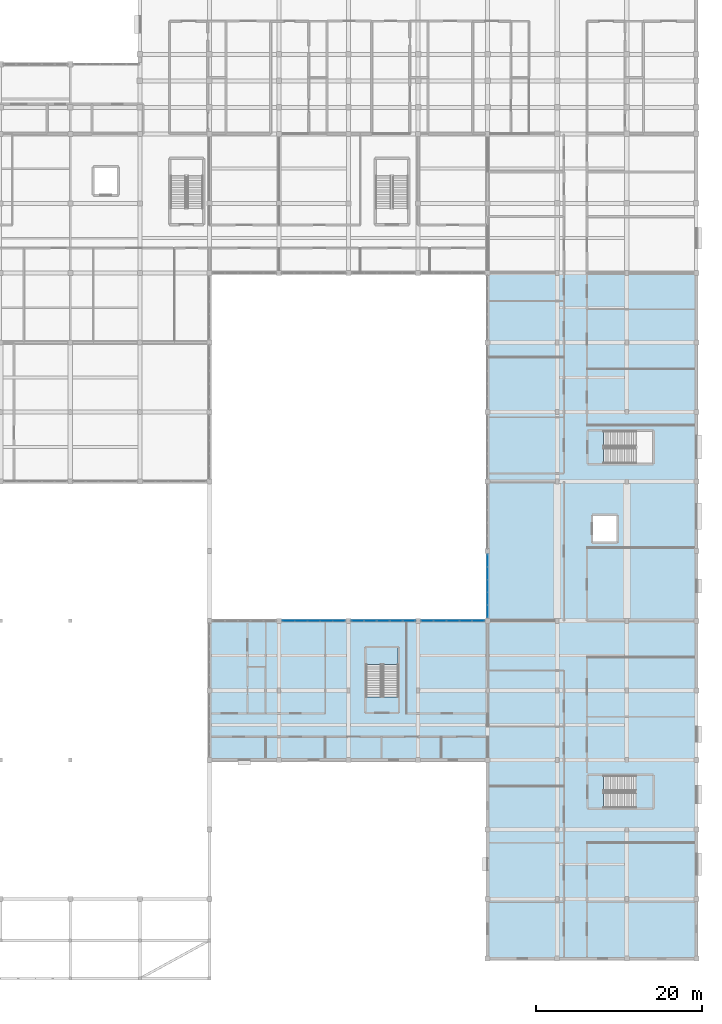
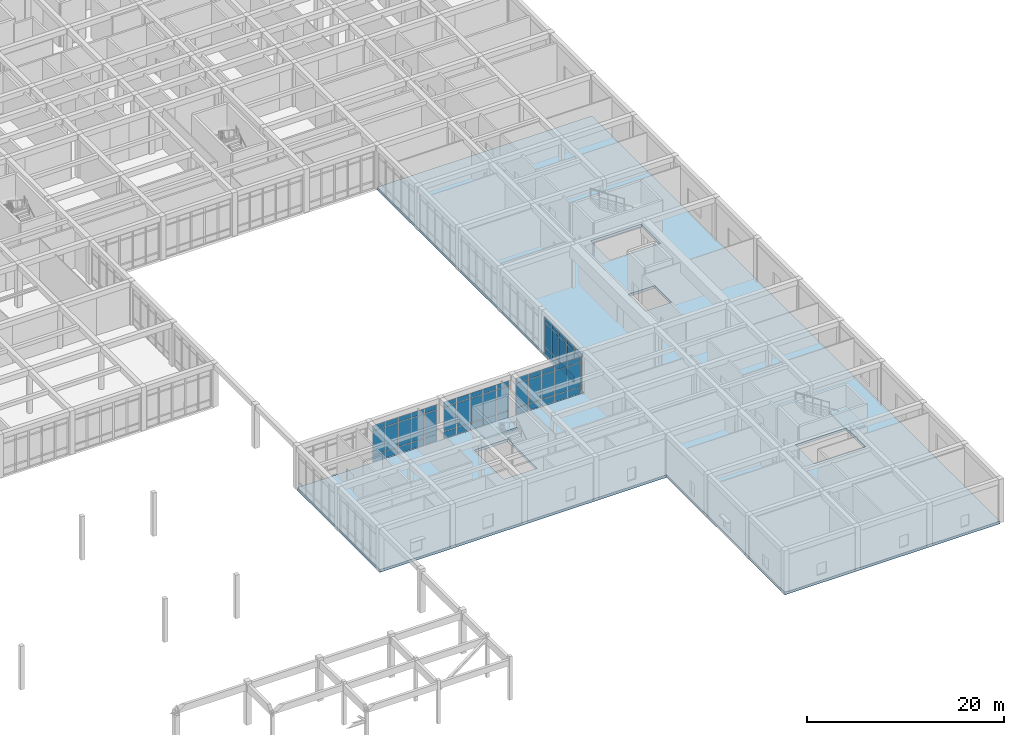
# One storey, part 49 of 89: 60 plates, 3 slabs, 6 elements without a shape of their own.
"""IFC4 building model written with IfcOpenShell, lengths in metres."""

from ifc_helpers import new_model, si_unit, direction, frame, origin, origin_2d, place, context, subcontext, project, spatial, polyline, rectangle, outline, extrude, material, layer, layer_set, type_object, element, aggregate, save


model = new_model("IFC4")

# Units and contexts
model_context = context("Model", 3, precision=1e-05, world=origin(), true_north=direction((0.0, 1.0)))
body_context = subcontext(model_context, "Body", "Model", "MODEL_VIEW")
ifc_project = project(units=[si_unit("LENGTHUNIT", "METRE"), si_unit("AREAUNIT", "SQUARE_METRE"), si_unit("VOLUMEUNIT", "CUBIC_METRE"), si_unit("PLANEANGLEUNIT", "RADIAN"), si_unit("MASSUNIT", "GRAM", prefix="KILO")], contexts=[model_context])

# Site, building, storey
site_placement = place(None, origin())
site = spatial("IfcSite", under=ifc_project, at=site_placement, CompositionType="ELEMENT")
building_placement = place(site_placement, origin())
building = spatial("IfcBuilding", under=site, at=building_placement, Name="Varncliffe General Hospital", CompositionType="ELEMENT")
storey_placement = place(building_placement, frame((0.0, 0.0, 10.800048828125)))
storey = spatial("IfcBuildingStorey", under=building, at=storey_placement, Name="L02", CompositionType="ELEMENT", Elevation=10.800048828125)

# Curtain wall, plates
ifc_material_1 = material(Name="Triple low-E argon insulated vision glazing", Category="glass")
curtain_wall_type_1 = type_object("IfcCurtainWallType", Name="Unitised Glazed Curtain Wall CW70 (7724x4640)", PredefinedType="USERDEFINED", material=ifc_material_1)
curtain_wall_1_placement = place(storey_placement, origin())
curtain_wall_1 = element("IfcCurtainWall", 1, at=curtain_wall_1_placement, inside=storey, type_object=curtain_wall_type_1, Name="L02 Glazed Curtain Wall CW70-121", ObjectType="GLAZED CURTAIN WALL", PredefinedType="USERDEFINED")
ifc_layer_1 = layer(ifc_material_1, 0.0439453125)
ifc_layer_set_1 = layer_set([ifc_layer_1], Name="Triple low-E argon insulated vision glazing")
plate_type_1 = type_object("IfcPlateType", Name="Curtain Wall Glazing Panel CP12 (44mm)", PredefinedType="CURTAIN_PANEL", material=ifc_layer_set_1)
plate_1_placement = place(storey_placement, frame((143.92919921875, 40.800048828125, 0.059814453125), z_axis=(0.0, 0.0, 1.0), x_axis=(1.0, 0.0, 0.0)))
plate_1 = element("IfcPlate", 2, at=plate_1_placement, type_object=plate_type_1, Name="CW70 panel 1.1", PredefinedType="CURTAIN_PANEL", context=body_context, shape_type="SweptSolid", body=[
    extrude(rectangle(XDim=1.432373046875, YDim=0.0439453125, at=origin_2d()), origin(), (0.0, 0.0, 1.0), 0.81005859375),
])
plate_2_placement = place(storey_placement, frame((143.92919921875, 40.800048828125, 0.929931640625), z_axis=(0.0, 0.0, 1.0), x_axis=(1.0, 0.0, 0.0)))
plate_2 = element("IfcPlate", 3, at=plate_2_placement, type_object=plate_type_1, Name="CW70 panel 1.2", PredefinedType="CURTAIN_PANEL", context=body_context, shape_type="SweptSolid", body=[
    extrude(rectangle(XDim=1.432373046875, YDim=0.0439453125, at=origin_2d()), origin(), (0.0, 0.0, 1.0), 2.97998046875),
])
plate_3_placement = place(storey_placement, frame((143.92919921875, 40.800048828125, 3.9697265625), z_axis=(0.0, 0.0, 1.0), x_axis=(1.0, 0.0, 0.0)))
plate_3 = element("IfcPlate", 4, at=plate_3_placement, type_object=plate_type_1, Name="CW70 panel 1.3", PredefinedType="CURTAIN_PANEL", context=body_context, shape_type="SweptSolid", body=[
    extrude(rectangle(XDim=1.432373046875, YDim=0.0439453125, at=origin_2d()), origin(), (0.0, 0.0, 1.0), 0.610107421875),
])
plate_4_placement = place(storey_placement, frame((145.455078125, 40.800048828125, 0.059814453125), z_axis=(0.0, 0.0, 1.0), x_axis=(1.0, 0.0, 0.0)))
plate_4 = element("IfcPlate", 5, at=plate_4_placement, type_object=plate_type_1, Name="CW70 panel 2.1", PredefinedType="CURTAIN_PANEL", context=body_context, shape_type="SweptSolid", body=[
    extrude(rectangle(XDim=1.4697265625, YDim=0.0439453125, at=origin_2d()), origin(), (0.0, 0.0, 1.0), 0.81005859375),
])
plate_5_placement = place(storey_placement, frame((145.455078125, 40.800048828125, 0.929931640625), z_axis=(0.0, 0.0, 1.0), x_axis=(1.0, 0.0, 0.0)))
plate_5 = element("IfcPlate", 6, at=plate_5_placement, type_object=plate_type_1, Name="CW70 panel 2.2", PredefinedType="CURTAIN_PANEL", context=body_context, shape_type="SweptSolid", body=[
    extrude(rectangle(XDim=1.4697265625, YDim=0.0439453125, at=origin_2d()), origin(), (0.0, 0.0, 1.0), 2.97998046875),
])
plate_6_placement = place(storey_placement, frame((145.455078125, 40.800048828125, 3.9697265625), z_axis=(0.0, 0.0, 1.0), x_axis=(1.0, 0.0, 0.0)))
plate_6 = element("IfcPlate", 7, at=plate_6_placement, type_object=plate_type_1, Name="CW70 panel 2.3", PredefinedType="CURTAIN_PANEL", context=body_context, shape_type="SweptSolid", body=[
    extrude(rectangle(XDim=1.4697265625, YDim=0.0439453125, at=origin_2d()), origin(), (0.0, 0.0, 1.0), 0.610107421875),
])
plate_7_placement = place(storey_placement, frame((147.0, 40.800048828125, 0.059814453125), z_axis=(0.0, 0.0, 1.0), x_axis=(1.0, 0.0, 0.0)))
plate_7 = element("IfcPlate", 8, at=plate_7_placement, type_object=plate_type_1, Name="CW70 panel 3.1", PredefinedType="CURTAIN_PANEL", context=body_context, shape_type="SweptSolid", body=[
    extrude(rectangle(XDim=1.4697265625, YDim=0.0439453125, at=origin_2d()), origin(), (0.0, 0.0, 1.0), 0.81005859375),
])
plate_8_placement = place(storey_placement, frame((147.0, 40.800048828125, 0.929931640625), z_axis=(0.0, 0.0, 1.0), x_axis=(1.0, 0.0, 0.0)))
plate_8 = element("IfcPlate", 9, at=plate_8_placement, type_object=plate_type_1, Name="CW70 panel 3.2", PredefinedType="CURTAIN_PANEL", context=body_context, shape_type="SweptSolid", body=[
    extrude(rectangle(XDim=1.4697265625, YDim=0.0439453125, at=origin_2d()), origin(), (0.0, 0.0, 1.0), 2.97998046875),
])
plate_9_placement = place(storey_placement, frame((147.0, 40.800048828125, 3.9697265625), z_axis=(0.0, 0.0, 1.0), x_axis=(1.0, 0.0, 0.0)))
plate_9 = element("IfcPlate", 10, at=plate_9_placement, type_object=plate_type_1, Name="CW70 panel 3.3", PredefinedType="CURTAIN_PANEL", context=body_context, shape_type="SweptSolid", body=[
    extrude(rectangle(XDim=1.4697265625, YDim=0.0439453125, at=origin_2d()), origin(), (0.0, 0.0, 1.0), 0.610107421875),
])
plate_10_placement = place(storey_placement, frame((148.544921875, 40.800048828125, 0.059814453125), z_axis=(0.0, 0.0, 1.0), x_axis=(1.0, 0.0, 0.0)))
plate_10 = element("IfcPlate", 11, at=plate_10_placement, type_object=plate_type_1, Name="CW70 panel 4.1", PredefinedType="CURTAIN_PANEL", context=body_context, shape_type="SweptSolid", body=[
    extrude(rectangle(XDim=1.4697265625, YDim=0.0439453125, at=origin_2d()), origin(), (0.0, 0.0, 1.0), 0.81005859375),
])
plate_11_placement = place(storey_placement, frame((148.544921875, 40.800048828125, 0.929931640625), z_axis=(0.0, 0.0, 1.0), x_axis=(1.0, 0.0, 0.0)))
plate_11 = element("IfcPlate", 12, at=plate_11_placement, type_object=plate_type_1, Name="CW70 panel 4.2", PredefinedType="CURTAIN_PANEL", context=body_context, shape_type="SweptSolid", body=[
    extrude(rectangle(XDim=1.4697265625, YDim=0.0439453125, at=origin_2d()), origin(), (0.0, 0.0, 1.0), 2.97998046875),
])
plate_12_placement = place(storey_placement, frame((148.544921875, 40.800048828125, 3.9697265625), z_axis=(0.0, 0.0, 1.0), x_axis=(1.0, 0.0, 0.0)))
plate_12 = element("IfcPlate", 13, at=plate_12_placement, type_object=plate_type_1, Name="CW70 panel 4.3", PredefinedType="CURTAIN_PANEL", context=body_context, shape_type="SweptSolid", body=[
    extrude(rectangle(XDim=1.4697265625, YDim=0.0439453125, at=origin_2d()), origin(), (0.0, 0.0, 1.0), 0.610107421875),
])
plate_13_placement = place(storey_placement, frame((150.07080078125, 40.800048828125, 0.059814453125), z_axis=(0.0, 0.0, 1.0), x_axis=(1.0, 0.0, 0.0)))
plate_13 = element("IfcPlate", 14, at=plate_13_placement, type_object=plate_type_1, Name="CW70 panel 5.1", PredefinedType="CURTAIN_PANEL", context=body_context, shape_type="SweptSolid", body=[
    extrude(rectangle(XDim=1.432373046875, YDim=0.0439453125, at=origin_2d()), origin(), (0.0, 0.0, 1.0), 0.81005859375),
])
plate_14_placement = place(storey_placement, frame((150.07080078125, 40.800048828125, 0.929931640625), z_axis=(0.0, 0.0, 1.0), x_axis=(1.0, 0.0, 0.0)))
plate_14 = element("IfcPlate", 15, at=plate_14_placement, type_object=plate_type_1, Name="CW70 panel 5.2", PredefinedType="CURTAIN_PANEL", context=body_context, shape_type="SweptSolid", body=[
    extrude(rectangle(XDim=1.432373046875, YDim=0.0439453125, at=origin_2d()), origin(), (0.0, 0.0, 1.0), 2.97998046875),
])
plate_15_placement = place(storey_placement, frame((150.07080078125, 40.800048828125, 3.9697265625), z_axis=(0.0, 0.0, 1.0), x_axis=(1.0, 0.0, 0.0)))
plate_15 = element("IfcPlate", 16, at=plate_15_placement, type_object=plate_type_1, Name="CW70 panel 5.3", PredefinedType="CURTAIN_PANEL", context=body_context, shape_type="SweptSolid", body=[
    extrude(rectangle(XDim=1.432373046875, YDim=0.0439453125, at=origin_2d()), origin(), (0.0, 0.0, 1.0), 0.610107421875),
])
aggregate(curtain_wall_1, [plate_1, plate_2, plate_3, plate_4, plate_5, plate_6, plate_7, plate_8, plate_9, plate_10, plate_11, plate_12, plate_13, plate_14, plate_15])

curtain_wall_type_2 = type_object("IfcCurtainWallType", Name="Unitised Glazed Curtain Wall CW85 (7804x4640)", PredefinedType="USERDEFINED", material=ifc_material_1)
curtain_wall_2_placement = place(storey_placement, origin())
curtain_wall_2 = element("IfcCurtainWall", 17, at=curtain_wall_2_placement, inside=storey, type_object=curtain_wall_type_2, Name="L02 Glazed Curtain Wall CW85-120", ObjectType="GLAZED CURTAIN WALL", PredefinedType="USERDEFINED")
ifc_layer_2 = layer(ifc_material_1, 0.035888671875)
ifc_layer_set_2 = layer_set([ifc_layer_2], Name="Triple low-E argon insulated vision glazing")
plate_type_2 = type_object("IfcPlateType", Name="Curtain Wall Glazing Panel CP27 (36mm)", PredefinedType="CURTAIN_PANEL", material=ifc_layer_set_2)
plate_16_placement = place(storey_placement, frame((135.4970703125, 40.800048828125, 0.06494140625), z_axis=(0.0, 0.0, 1.0), x_axis=(1.0, 0.0, 0.0)))
plate_16 = element("IfcPlate", 18, at=plate_16_placement, type_object=plate_type_2, Name="CW85 panel 1.1", PredefinedType="CURTAIN_PANEL", context=body_context, shape_type="SweptSolid", body=[
    extrude(rectangle(XDim=1.4482421875, YDim=0.035888671875, at=origin_2d()), origin(), (0.0, 0.0, 1.0), 0.802490234375),
])
plate_17_placement = place(storey_placement, frame((135.4970703125, 40.800048828125, 0.932373046875), z_axis=(0.0, 0.0, 1.0), x_axis=(1.0, 0.0, 0.0)))
plate_17 = element("IfcPlate", 19, at=plate_17_placement, type_object=plate_type_2, Name="CW85 panel 1.2", PredefinedType="CURTAIN_PANEL", context=body_context, shape_type="SweptSolid", body=[
    extrude(rectangle(XDim=1.4482421875, YDim=0.035888671875, at=origin_2d()), origin(), (0.0, 0.0, 1.0), 2.97509765625),
])
plate_18_placement = place(storey_placement, frame((135.4970703125, 40.800048828125, 3.972412109375), z_axis=(0.0, 0.0, 1.0), x_axis=(1.0, 0.0, 0.0)))
plate_18 = element("IfcPlate", 20, at=plate_18_placement, type_object=plate_type_2, Name="CW85 panel 1.3", PredefinedType="CURTAIN_PANEL", context=body_context, shape_type="SweptSolid", body=[
    extrude(rectangle(XDim=1.4482421875, YDim=0.035888671875, at=origin_2d()), origin(), (0.0, 0.0, 1.0), 0.6025390625),
])
plate_19_placement = place(storey_placement, frame((137.039306640625, 40.800048828125, 0.06494140625), z_axis=(0.0, 0.0, 1.0), x_axis=(1.0, 0.0, 0.0)))
plate_19 = element("IfcPlate", 21, at=plate_19_placement, type_object=plate_type_2, Name="CW85 panel 2.1", PredefinedType="CURTAIN_PANEL", context=body_context, shape_type="SweptSolid", body=[
    extrude(rectangle(XDim=1.48583984375, YDim=0.035888671875, at=origin_2d()), origin(), (0.0, 0.0, 1.0), 0.802490234375),
])
plate_20_placement = place(storey_placement, frame((137.039306640625, 40.800048828125, 0.932373046875), z_axis=(0.0, 0.0, 1.0), x_axis=(1.0, 0.0, 0.0)))
plate_20 = element("IfcPlate", 22, at=plate_20_placement, type_object=plate_type_2, Name="CW85 panel 2.2", PredefinedType="CURTAIN_PANEL", context=body_context, shape_type="SweptSolid", body=[
    extrude(rectangle(XDim=1.48583984375, YDim=0.035888671875, at=origin_2d()), origin(), (0.0, 0.0, 1.0), 2.97509765625),
])
plate_21_placement = place(storey_placement, frame((137.039306640625, 40.800048828125, 3.972412109375), z_axis=(0.0, 0.0, 1.0), x_axis=(1.0, 0.0, 0.0)))
plate_21 = element("IfcPlate", 23, at=plate_21_placement, type_object=plate_type_2, Name="CW85 panel 2.3", PredefinedType="CURTAIN_PANEL", context=body_context, shape_type="SweptSolid", body=[
    extrude(rectangle(XDim=1.48583984375, YDim=0.035888671875, at=origin_2d()), origin(), (0.0, 0.0, 1.0), 0.6025390625),
])
plate_22_placement = place(storey_placement, frame((138.60009765625, 40.800048828125, 0.06494140625), z_axis=(0.0, 0.0, 1.0), x_axis=(1.0, 0.0, 0.0)))
plate_22 = element("IfcPlate", 24, at=plate_22_placement, type_object=plate_type_2, Name="CW85 panel 3.1", PredefinedType="CURTAIN_PANEL", context=body_context, shape_type="SweptSolid", body=[
    extrude(rectangle(XDim=1.48583984375, YDim=0.035888671875, at=origin_2d()), origin(), (0.0, 0.0, 1.0), 0.802490234375),
])
plate_23_placement = place(storey_placement, frame((138.60009765625, 40.800048828125, 0.932373046875), z_axis=(0.0, 0.0, 1.0), x_axis=(1.0, 0.0, 0.0)))
plate_23 = element("IfcPlate", 25, at=plate_23_placement, type_object=plate_type_2, Name="CW85 panel 3.2", PredefinedType="CURTAIN_PANEL", context=body_context, shape_type="SweptSolid", body=[
    extrude(rectangle(XDim=1.48583984375, YDim=0.035888671875, at=origin_2d()), origin(), (0.0, 0.0, 1.0), 2.97509765625),
])
plate_24_placement = place(storey_placement, frame((138.60009765625, 40.800048828125, 3.972412109375), z_axis=(0.0, 0.0, 1.0), x_axis=(1.0, 0.0, 0.0)))
plate_24 = element("IfcPlate", 26, at=plate_24_placement, type_object=plate_type_2, Name="CW85 panel 3.3", PredefinedType="CURTAIN_PANEL", context=body_context, shape_type="SweptSolid", body=[
    extrude(rectangle(XDim=1.48583984375, YDim=0.035888671875, at=origin_2d()), origin(), (0.0, 0.0, 1.0), 0.6025390625),
])
plate_25_placement = place(storey_placement, frame((140.160888671875, 40.800048828125, 0.06494140625), z_axis=(0.0, 0.0, 1.0), x_axis=(1.0, 0.0, 0.0)))
plate_25 = element("IfcPlate", 27, at=plate_25_placement, type_object=plate_type_2, Name="CW85 panel 4.1", PredefinedType="CURTAIN_PANEL", context=body_context, shape_type="SweptSolid", body=[
    extrude(rectangle(XDim=1.48583984375, YDim=0.035888671875, at=origin_2d()), origin(), (0.0, 0.0, 1.0), 0.802490234375),
])
plate_26_placement = place(storey_placement, frame((140.160888671875, 40.800048828125, 0.932373046875), z_axis=(0.0, 0.0, 1.0), x_axis=(1.0, 0.0, 0.0)))
plate_26 = element("IfcPlate", 28, at=plate_26_placement, type_object=plate_type_2, Name="CW85 panel 4.2", PredefinedType="CURTAIN_PANEL", context=body_context, shape_type="SweptSolid", body=[
    extrude(rectangle(XDim=1.48583984375, YDim=0.035888671875, at=origin_2d()), origin(), (0.0, 0.0, 1.0), 2.97509765625),
])
plate_27_placement = place(storey_placement, frame((140.160888671875, 40.800048828125, 3.972412109375), z_axis=(0.0, 0.0, 1.0), x_axis=(1.0, 0.0, 0.0)))
plate_27 = element("IfcPlate", 29, at=plate_27_placement, type_object=plate_type_2, Name="CW85 panel 4.3", PredefinedType="CURTAIN_PANEL", context=body_context, shape_type="SweptSolid", body=[
    extrude(rectangle(XDim=1.48583984375, YDim=0.035888671875, at=origin_2d()), origin(), (0.0, 0.0, 1.0), 0.6025390625),
])
plate_28_placement = place(storey_placement, frame((141.702880859375, 40.800048828125, 0.06494140625), z_axis=(0.0, 0.0, 1.0), x_axis=(1.0, 0.0, 0.0)))
plate_28 = element("IfcPlate", 30, at=plate_28_placement, type_object=plate_type_2, Name="CW85 panel 5.1", PredefinedType="CURTAIN_PANEL", context=body_context, shape_type="SweptSolid", body=[
    extrude(rectangle(XDim=1.4482421875, YDim=0.035888671875, at=origin_2d()), origin(), (0.0, 0.0, 1.0), 0.802490234375),
])
plate_29_placement = place(storey_placement, frame((141.702880859375, 40.800048828125, 0.932373046875), z_axis=(0.0, 0.0, 1.0), x_axis=(1.0, 0.0, 0.0)))
plate_29 = element("IfcPlate", 31, at=plate_29_placement, type_object=plate_type_2, Name="CW85 panel 5.2", PredefinedType="CURTAIN_PANEL", context=body_context, shape_type="SweptSolid", body=[
    extrude(rectangle(XDim=1.4482421875, YDim=0.035888671875, at=origin_2d()), origin(), (0.0, 0.0, 1.0), 2.97509765625),
])
plate_30_placement = place(storey_placement, frame((141.702880859375, 40.800048828125, 3.972412109375), z_axis=(0.0, 0.0, 1.0), x_axis=(1.0, 0.0, 0.0)))
plate_30 = element("IfcPlate", 32, at=plate_30_placement, type_object=plate_type_2, Name="CW85 panel 5.3", PredefinedType="CURTAIN_PANEL", context=body_context, shape_type="SweptSolid", body=[
    extrude(rectangle(XDim=1.4482421875, YDim=0.035888671875, at=origin_2d()), origin(), (0.0, 0.0, 1.0), 0.6025390625),
])
aggregate(curtain_wall_2, [plate_16, plate_17, plate_18, plate_19, plate_20, plate_21, plate_22, plate_23, plate_24, plate_25, plate_26, plate_27, plate_28, plate_29, plate_30])

curtain_wall_type_3 = type_object("IfcCurtainWallType", Name="Unitised Glazed Curtain Wall CW27 (7644x4640)", PredefinedType="USERDEFINED", material=ifc_material_1)
curtain_wall_3_placement = place(storey_placement, origin())
curtain_wall_3 = element("IfcCurtainWall", 33, at=curtain_wall_3_placement, inside=storey, type_object=curtain_wall_type_3, Name="L02 Glazed Curtain Wall CW27-119", ObjectType="GLAZED CURTAIN WALL", PredefinedType="USERDEFINED")
ifc_layer_3 = layer(ifc_material_1, 0.028076171875)
ifc_layer_set_3 = layer_set([ifc_layer_3], Name="Triple low-E argon insulated vision glazing")
plate_type_3 = type_object("IfcPlateType", Name="Curtain Wall Glazing Panel CP48 (28mm)", PredefinedType="CURTAIN_PANEL", material=ifc_layer_set_3)
plate_31_placement = place(storey_placement, frame((127.15869140625, 40.800048828125, 0.059814453125), z_axis=(0.0, 0.0, 1.0), x_axis=(1.0, 0.0, 0.0)))
plate_31 = element("IfcPlate", 34, at=plate_31_placement, type_object=plate_type_3, Name="CW27 panel 1.1", PredefinedType="CURTAIN_PANEL", context=body_context, shape_type="SweptSolid", body=[
    extrude(rectangle(XDim=1.431396484375, YDim=0.028076171875, at=origin_2d()), origin(), (0.0, 0.0, 1.0), 0.81005859375),
])
plate_32_placement = place(storey_placement, frame((127.15869140625, 40.800048828125, 0.929931640625), z_axis=(0.0, 0.0, 1.0), x_axis=(1.0, 0.0, 0.0)))
plate_32 = element("IfcPlate", 35, at=plate_32_placement, type_object=plate_type_3, Name="CW27 panel 1.2", PredefinedType="CURTAIN_PANEL", context=body_context, shape_type="SweptSolid", body=[
    extrude(rectangle(XDim=1.431396484375, YDim=0.028076171875, at=origin_2d()), origin(), (0.0, 0.0, 1.0), 2.97998046875),
])
plate_33_placement = place(storey_placement, frame((127.15869140625, 40.800048828125, 3.9697265625), z_axis=(0.0, 0.0, 1.0), x_axis=(1.0, 0.0, 0.0)))
plate_33 = element("IfcPlate", 36, at=plate_33_placement, type_object=plate_type_3, Name="CW27 panel 1.3", PredefinedType="CURTAIN_PANEL", context=body_context, shape_type="SweptSolid", body=[
    extrude(rectangle(XDim=1.431396484375, YDim=0.028076171875, at=origin_2d()), origin(), (0.0, 0.0, 1.0), 0.610107421875),
])
plate_34_placement = place(storey_placement, frame((128.671142578125, 40.800048828125, 0.059814453125), z_axis=(0.0, 0.0, 1.0), x_axis=(1.0, 0.0, 0.0)))
plate_34 = element("IfcPlate", 37, at=plate_34_placement, type_object=plate_type_3, Name="CW27 panel 2.1", PredefinedType="CURTAIN_PANEL", context=body_context, shape_type="SweptSolid", body=[
    extrude(rectangle(XDim=1.4638671875, YDim=0.028076171875, at=origin_2d()), origin(), (0.0, 0.0, 1.0), 0.81005859375),
])
plate_35_placement = place(storey_placement, frame((128.671142578125, 40.800048828125, 0.929931640625), z_axis=(0.0, 0.0, 1.0), x_axis=(1.0, 0.0, 0.0)))
plate_35 = element("IfcPlate", 38, at=plate_35_placement, type_object=plate_type_3, Name="CW27 panel 2.2", PredefinedType="CURTAIN_PANEL", context=body_context, shape_type="SweptSolid", body=[
    extrude(rectangle(XDim=1.4638671875, YDim=0.028076171875, at=origin_2d()), origin(), (0.0, 0.0, 1.0), 2.97998046875),
])
plate_36_placement = place(storey_placement, frame((128.671142578125, 40.800048828125, 3.9697265625), z_axis=(0.0, 0.0, 1.0), x_axis=(1.0, 0.0, 0.0)))
plate_36 = element("IfcPlate", 39, at=plate_36_placement, type_object=plate_type_3, Name="CW27 panel 2.3", PredefinedType="CURTAIN_PANEL", context=body_context, shape_type="SweptSolid", body=[
    extrude(rectangle(XDim=1.4638671875, YDim=0.028076171875, at=origin_2d()), origin(), (0.0, 0.0, 1.0), 0.610107421875),
])
plate_37_placement = place(storey_placement, frame((130.199951171875, 40.800048828125, 0.059814453125), z_axis=(0.0, 0.0, 1.0), x_axis=(1.0, 0.0, 0.0)))
plate_37 = element("IfcPlate", 40, at=plate_37_placement, type_object=plate_type_3, Name="CW27 panel 3.1", PredefinedType="CURTAIN_PANEL", context=body_context, shape_type="SweptSolid", body=[
    extrude(rectangle(XDim=1.4638671875, YDim=0.028076171875, at=origin_2d()), origin(), (0.0, 0.0, 1.0), 0.81005859375),
])
plate_38_placement = place(storey_placement, frame((130.199951171875, 40.800048828125, 0.929931640625), z_axis=(0.0, 0.0, 1.0), x_axis=(1.0, 0.0, 0.0)))
plate_38 = element("IfcPlate", 41, at=plate_38_placement, type_object=plate_type_3, Name="CW27 panel 3.2", PredefinedType="CURTAIN_PANEL", context=body_context, shape_type="SweptSolid", body=[
    extrude(rectangle(XDim=1.4638671875, YDim=0.028076171875, at=origin_2d()), origin(), (0.0, 0.0, 1.0), 2.97998046875),
])
plate_39_placement = place(storey_placement, frame((130.199951171875, 40.800048828125, 3.9697265625), z_axis=(0.0, 0.0, 1.0), x_axis=(1.0, 0.0, 0.0)))
plate_39 = element("IfcPlate", 42, at=plate_39_placement, type_object=plate_type_3, Name="CW27 panel 3.3", PredefinedType="CURTAIN_PANEL", context=body_context, shape_type="SweptSolid", body=[
    extrude(rectangle(XDim=1.4638671875, YDim=0.028076171875, at=origin_2d()), origin(), (0.0, 0.0, 1.0), 0.610107421875),
])
plate_40_placement = place(storey_placement, frame((131.728759765625, 40.800048828125, 0.059814453125), z_axis=(0.0, 0.0, 1.0), x_axis=(1.0, 0.0, 0.0)))
plate_40 = element("IfcPlate", 43, at=plate_40_placement, type_object=plate_type_3, Name="CW27 panel 4.1", PredefinedType="CURTAIN_PANEL", context=body_context, shape_type="SweptSolid", body=[
    extrude(rectangle(XDim=1.4638671875, YDim=0.028076171875, at=origin_2d()), origin(), (0.0, 0.0, 1.0), 0.81005859375),
])
plate_41_placement = place(storey_placement, frame((131.728759765625, 40.800048828125, 0.929931640625), z_axis=(0.0, 0.0, 1.0), x_axis=(1.0, 0.0, 0.0)))
plate_41 = element("IfcPlate", 44, at=plate_41_placement, type_object=plate_type_3, Name="CW27 panel 4.2", PredefinedType="CURTAIN_PANEL", context=body_context, shape_type="SweptSolid", body=[
    extrude(rectangle(XDim=1.4638671875, YDim=0.028076171875, at=origin_2d()), origin(), (0.0, 0.0, 1.0), 2.97998046875),
])
plate_42_placement = place(storey_placement, frame((131.728759765625, 40.800048828125, 3.9697265625), z_axis=(0.0, 0.0, 1.0), x_axis=(1.0, 0.0, 0.0)))
plate_42 = element("IfcPlate", 45, at=plate_42_placement, type_object=plate_type_3, Name="CW27 panel 4.3", PredefinedType="CURTAIN_PANEL", context=body_context, shape_type="SweptSolid", body=[
    extrude(rectangle(XDim=1.4638671875, YDim=0.028076171875, at=origin_2d()), origin(), (0.0, 0.0, 1.0), 0.610107421875),
])
plate_43_placement = place(storey_placement, frame((133.241455078125, 40.800048828125, 0.059814453125), z_axis=(0.0, 0.0, 1.0), x_axis=(1.0, 0.0, 0.0)))
plate_43 = element("IfcPlate", 46, at=plate_43_placement, type_object=plate_type_3, Name="CW27 panel 5.1", PredefinedType="CURTAIN_PANEL", context=body_context, shape_type="SweptSolid", body=[
    extrude(rectangle(XDim=1.431396484375, YDim=0.028076171875, at=origin_2d()), origin(), (0.0, 0.0, 1.0), 0.81005859375),
])
plate_44_placement = place(storey_placement, frame((133.241455078125, 40.800048828125, 0.929931640625), z_axis=(0.0, 0.0, 1.0), x_axis=(1.0, 0.0, 0.0)))
plate_44 = element("IfcPlate", 47, at=plate_44_placement, type_object=plate_type_3, Name="CW27 panel 5.2", PredefinedType="CURTAIN_PANEL", context=body_context, shape_type="SweptSolid", body=[
    extrude(rectangle(XDim=1.431396484375, YDim=0.028076171875, at=origin_2d()), origin(), (0.0, 0.0, 1.0), 2.97998046875),
])
plate_45_placement = place(storey_placement, frame((133.241455078125, 40.800048828125, 3.9697265625), z_axis=(0.0, 0.0, 1.0), x_axis=(1.0, 0.0, 0.0)))
plate_45 = element("IfcPlate", 48, at=plate_45_placement, type_object=plate_type_3, Name="CW27 panel 5.3", PredefinedType="CURTAIN_PANEL", context=body_context, shape_type="SweptSolid", body=[
    extrude(rectangle(XDim=1.431396484375, YDim=0.028076171875, at=origin_2d()), origin(), (0.0, 0.0, 1.0), 0.610107421875),
])
aggregate(curtain_wall_3, [plate_31, plate_32, plate_33, plate_34, plate_35, plate_36, plate_37, plate_38, plate_39, plate_40, plate_41, plate_42, plate_43, plate_44, plate_45])

curtain_wall_4_placement = place(storey_placement, origin())
curtain_wall_4 = element("IfcCurtainWall", 49, at=curtain_wall_4_placement, inside=storey, type_object=curtain_wall_type_3, Name="L02 Glazed Curtain Wall CW27-122", ObjectType="GLAZED CURTAIN WALL", PredefinedType="USERDEFINED")
plate_46_placement = place(storey_placement, frame((151.199951171875, 41.958740234375, 0.059814453125), z_axis=(0.0, 0.0, 1.0), x_axis=(0.0, 1.0, 0.0)))
plate_46 = element("IfcPlate", 50, at=plate_46_placement, type_object=plate_type_3, Name="CW27 panel 1.1", PredefinedType="CURTAIN_PANEL", context=body_context, shape_type="SweptSolid", body=[
    extrude(rectangle(XDim=1.431396484375, YDim=0.028076171875, at=origin_2d()), origin(), (0.0, 0.0, 1.0), 0.81005859375),
])
plate_47_placement = place(storey_placement, frame((151.199951171875, 41.958740234375, 0.929931640625), z_axis=(0.0, 0.0, 1.0), x_axis=(0.0, 1.0, 0.0)))
plate_47 = element("IfcPlate", 51, at=plate_47_placement, type_object=plate_type_3, Name="CW27 panel 1.2", PredefinedType="CURTAIN_PANEL", context=body_context, shape_type="SweptSolid", body=[
    extrude(rectangle(XDim=1.431396484375, YDim=0.028076171875, at=origin_2d()), origin(), (0.0, 0.0, 1.0), 2.97998046875),
])
plate_48_placement = place(storey_placement, frame((151.199951171875, 41.958740234375, 3.9697265625), z_axis=(0.0, 0.0, 1.0), x_axis=(0.0, 1.0, 0.0)))
plate_48 = element("IfcPlate", 52, at=plate_48_placement, type_object=plate_type_3, Name="CW27 panel 1.3", PredefinedType="CURTAIN_PANEL", context=body_context, shape_type="SweptSolid", body=[
    extrude(rectangle(XDim=1.431396484375, YDim=0.028076171875, at=origin_2d()), origin(), (0.0, 0.0, 1.0), 0.610107421875),
])
plate_49_placement = place(storey_placement, frame((151.199951171875, 43.47119140625, 0.059814453125), z_axis=(0.0, 0.0, 1.0), x_axis=(0.0, 1.0, 0.0)))
plate_49 = element("IfcPlate", 53, at=plate_49_placement, type_object=plate_type_3, Name="CW27 panel 2.1", PredefinedType="CURTAIN_PANEL", context=body_context, shape_type="SweptSolid", body=[
    extrude(rectangle(XDim=1.4638671875, YDim=0.028076171875, at=origin_2d()), origin(), (0.0, 0.0, 1.0), 0.81005859375),
])
plate_50_placement = place(storey_placement, frame((151.199951171875, 43.47119140625, 0.929931640625), z_axis=(0.0, 0.0, 1.0), x_axis=(0.0, 1.0, 0.0)))
plate_50 = element("IfcPlate", 54, at=plate_50_placement, type_object=plate_type_3, Name="CW27 panel 2.2", PredefinedType="CURTAIN_PANEL", context=body_context, shape_type="SweptSolid", body=[
    extrude(rectangle(XDim=1.4638671875, YDim=0.028076171875, at=origin_2d()), origin(), (0.0, 0.0, 1.0), 2.97998046875),
])
plate_51_placement = place(storey_placement, frame((151.199951171875, 43.47119140625, 3.9697265625), z_axis=(0.0, 0.0, 1.0), x_axis=(0.0, 1.0, 0.0)))
plate_51 = element("IfcPlate", 55, at=plate_51_placement, type_object=plate_type_3, Name="CW27 panel 2.3", PredefinedType="CURTAIN_PANEL", context=body_context, shape_type="SweptSolid", body=[
    extrude(rectangle(XDim=1.4638671875, YDim=0.028076171875, at=origin_2d()), origin(), (0.0, 0.0, 1.0), 0.610107421875),
])
plate_52_placement = place(storey_placement, frame((151.199951171875, 45.0, 0.059814453125), z_axis=(0.0, 0.0, 1.0), x_axis=(0.0, 1.0, 0.0)))
plate_52 = element("IfcPlate", 56, at=plate_52_placement, type_object=plate_type_3, Name="CW27 panel 3.1", PredefinedType="CURTAIN_PANEL", context=body_context, shape_type="SweptSolid", body=[
    extrude(rectangle(XDim=1.4638671875, YDim=0.028076171875, at=origin_2d()), origin(), (0.0, 0.0, 1.0), 0.81005859375),
])
plate_53_placement = place(storey_placement, frame((151.199951171875, 45.0, 0.929931640625), z_axis=(0.0, 0.0, 1.0), x_axis=(0.0, 1.0, 0.0)))
plate_53 = element("IfcPlate", 57, at=plate_53_placement, type_object=plate_type_3, Name="CW27 panel 3.2", PredefinedType="CURTAIN_PANEL", context=body_context, shape_type="SweptSolid", body=[
    extrude(rectangle(XDim=1.4638671875, YDim=0.028076171875, at=origin_2d()), origin(), (0.0, 0.0, 1.0), 2.97998046875),
])
plate_54_placement = place(storey_placement, frame((151.199951171875, 45.0, 3.9697265625), z_axis=(0.0, 0.0, 1.0), x_axis=(0.0, 1.0, 0.0)))
plate_54 = element("IfcPlate", 58, at=plate_54_placement, type_object=plate_type_3, Name="CW27 panel 3.3", PredefinedType="CURTAIN_PANEL", context=body_context, shape_type="SweptSolid", body=[
    extrude(rectangle(XDim=1.4638671875, YDim=0.028076171875, at=origin_2d()), origin(), (0.0, 0.0, 1.0), 0.610107421875),
])
plate_55_placement = place(storey_placement, frame((151.199951171875, 46.52880859375, 0.059814453125), z_axis=(0.0, 0.0, 1.0), x_axis=(0.0, 1.0, 0.0)))
plate_55 = element("IfcPlate", 59, at=plate_55_placement, type_object=plate_type_3, Name="CW27 panel 4.1", PredefinedType="CURTAIN_PANEL", context=body_context, shape_type="SweptSolid", body=[
    extrude(rectangle(XDim=1.4638671875, YDim=0.028076171875, at=origin_2d()), origin(), (0.0, 0.0, 1.0), 0.81005859375),
])
plate_56_placement = place(storey_placement, frame((151.199951171875, 46.52880859375, 0.929931640625), z_axis=(0.0, 0.0, 1.0), x_axis=(0.0, 1.0, 0.0)))
plate_56 = element("IfcPlate", 60, at=plate_56_placement, type_object=plate_type_3, Name="CW27 panel 4.2", PredefinedType="CURTAIN_PANEL", context=body_context, shape_type="SweptSolid", body=[
    extrude(rectangle(XDim=1.4638671875, YDim=0.028076171875, at=origin_2d()), origin(), (0.0, 0.0, 1.0), 2.97998046875),
])
plate_57_placement = place(storey_placement, frame((151.199951171875, 46.52880859375, 3.9697265625), z_axis=(0.0, 0.0, 1.0), x_axis=(0.0, 1.0, 0.0)))
plate_57 = element("IfcPlate", 61, at=plate_57_placement, type_object=plate_type_3, Name="CW27 panel 4.3", PredefinedType="CURTAIN_PANEL", context=body_context, shape_type="SweptSolid", body=[
    extrude(rectangle(XDim=1.4638671875, YDim=0.028076171875, at=origin_2d()), origin(), (0.0, 0.0, 1.0), 0.610107421875),
])
plate_58_placement = place(storey_placement, frame((151.199951171875, 48.041259765625, 0.059814453125), z_axis=(0.0, 0.0, 1.0), x_axis=(0.0, 1.0, 0.0)))
plate_58 = element("IfcPlate", 62, at=plate_58_placement, type_object=plate_type_3, Name="CW27 panel 5.1", PredefinedType="CURTAIN_PANEL", context=body_context, shape_type="SweptSolid", body=[
    extrude(rectangle(XDim=1.431396484375, YDim=0.028076171875, at=origin_2d()), origin(), (0.0, 0.0, 1.0), 0.81005859375),
])
plate_59_placement = place(storey_placement, frame((151.199951171875, 48.041259765625, 0.929931640625), z_axis=(0.0, 0.0, 1.0), x_axis=(0.0, 1.0, 0.0)))
plate_59 = element("IfcPlate", 63, at=plate_59_placement, type_object=plate_type_3, Name="CW27 panel 5.2", PredefinedType="CURTAIN_PANEL", context=body_context, shape_type="SweptSolid", body=[
    extrude(rectangle(XDim=1.431396484375, YDim=0.028076171875, at=origin_2d()), origin(), (0.0, 0.0, 1.0), 2.97998046875),
])
plate_60_placement = place(storey_placement, frame((151.199951171875, 48.041259765625, 3.9697265625), z_axis=(0.0, 0.0, 1.0), x_axis=(0.0, 1.0, 0.0)))
plate_60 = element("IfcPlate", 64, at=plate_60_placement, type_object=plate_type_3, Name="CW27 panel 5.3", PredefinedType="CURTAIN_PANEL", context=body_context, shape_type="SweptSolid", body=[
    extrude(rectangle(XDim=1.431396484375, YDim=0.028076171875, at=origin_2d()), origin(), (0.0, 0.0, 1.0), 0.610107421875),
])
aggregate(curtain_wall_4, [plate_46, plate_47, plate_48, plate_49, plate_50, plate_51, plate_52, plate_53, plate_54, plate_55, plate_56, plate_57, plate_58, plate_59, plate_60])

# Slab
ifc_material_2 = material(Name="Concrete C35/45 (CSA A23.1 35 MPa)", Category="concrete")
ifc_layer_4 = layer(ifc_material_2, 0.320068359375)
ifc_layer_set_4 = layer_set([ifc_layer_4], Name="Concrete C35/45 (CSA A23.1 35 MPa)")
slab_type_1 = type_object("IfcSlabType", Name="Floor Slab SL41 (Int 320mm)", PredefinedType="FLOOR", material=ifc_layer_set_4)
slab_1_placement = place(storey_placement, frame((0.0, 0.0, -0.320068359375)))
element("IfcSlab", 65, at=slab_1_placement, inside=storey, type_object=slab_type_1, Name="L02 V5 Structural Floor Slab 1", PredefinedType="FLOOR", context=body_context, shape_type="SweptSolid", body=[
    extrude(outline(polyline([(117.60009765625, 24.0), (117.60009765625, 40.800048828125), (151.199951171875, 40.800048828125), (151.199951171875, 82.800048828125), (176.39990234375, 82.800048828125), (176.39990234375, 0.0), (151.199951171875, 0.0), (151.199951171875, 24.0), (117.60009765625, 24.0)]), holes=[polyline([(165.199951171875, 59.800048828125), (171.14990234375, 59.800048828125), (171.14990234375, 63.699951171875), (165.199951171875, 63.699951171875), (165.199951171875, 59.800048828125)]), polyline([(165.199951171875, 18.199951171875), (171.14990234375, 18.199951171875), (171.14990234375, 22.10009765625), (165.199951171875, 22.10009765625), (165.199951171875, 18.199951171875)]), polyline([(140.39990234375, 31.60009765625), (140.39990234375, 37.550048828125), (136.5, 37.550048828125), (136.5, 31.60009765625), (140.39990234375, 31.60009765625)]), polyline([(163.800048828125, 50.199951171875), (166.89990234375, 50.199951171875), (166.89990234375, 53.60009765625), (163.800048828125, 53.60009765625), (163.800048828125, 50.199951171875)])]), origin(), (0.0, 0.0, 1.0), 0.320068359375),
])

# Stair, slab
stair_type = type_object("IfcStairType", Name="Hospital Stair Assembly ST-T02 (1850w-5400h)", PredefinedType="TWO_STRAIGHT_RUN_STAIR", material=ifc_material_2)
stair_1_placement = place(storey_placement, origin())
stair_1 = element("IfcStair", 66, at=stair_1_placement, inside=storey, type_object=stair_type, Name="L02 Outpatient South-East Exit Stair 11", PredefinedType="TWO_STRAIGHT_RUN_STAIR")
ifc_layer_5 = layer(ifc_material_2, 0.199951171875)
ifc_layer_set_5 = layer_set([ifc_layer_5], Name="Concrete C35/45 (CSA A23.1 35 MPa)")
slab_type_2 = type_object("IfcSlabType", Name="Reinforced Concrete Stair Landing LND50 (200mm)", PredefinedType="LANDING", material=ifc_layer_set_5)
slab_2_placement = place(storey_placement, frame((0.0, 0.0, 2.5)))
slab_2 = element("IfcSlab", 67, at=slab_2_placement, type_object=slab_type_2, Name="ST11 landing 1", PredefinedType="LANDING", context=body_context, shape_type="SweptSolid", body=[
    extrude(outline(polyline([(169.1201171875, 18.199951171875), (171.14990234375, 18.199951171875), (171.14990234375, 22.10009765625), (169.1201171875, 22.10009765625), (169.1201171875, 18.199951171875)])), origin(), (0.0, 0.0, 1.0), 0.199951171875),
])
aggregate(stair_1, [slab_2])

stair_2_placement = place(storey_placement, origin())
stair_2 = element("IfcStair", 68, at=stair_2_placement, inside=storey, type_object=stair_type, Name="L02 Outpatient Cloister Exit Stair 15", PredefinedType="TWO_STRAIGHT_RUN_STAIR")
slab_3_placement = place(storey_placement, frame((0.0, 0.0, 2.5)))
slab_3 = element("IfcSlab", 69, at=slab_3_placement, type_object=slab_type_2, Name="ST15 landing 1", PredefinedType="LANDING", context=body_context, shape_type="SweptSolid", body=[
    extrude(outline(polyline([(140.39990234375, 35.52001953125), (140.39990234375, 37.550048828125), (136.5, 37.550048828125), (136.5, 35.52001953125), (140.39990234375, 35.52001953125)])), origin(), (0.0, 0.0, 1.0), 0.199951171875),
])
aggregate(stair_2, [slab_3])

save(model, "model.ifc")
